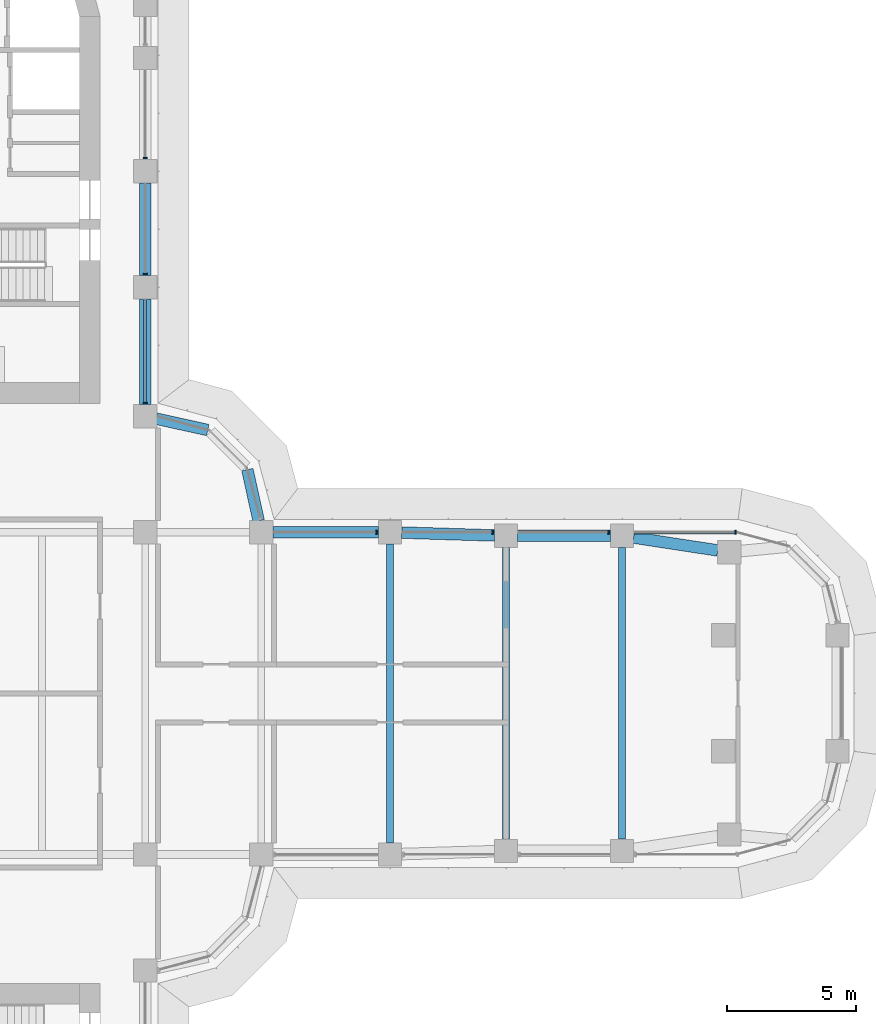
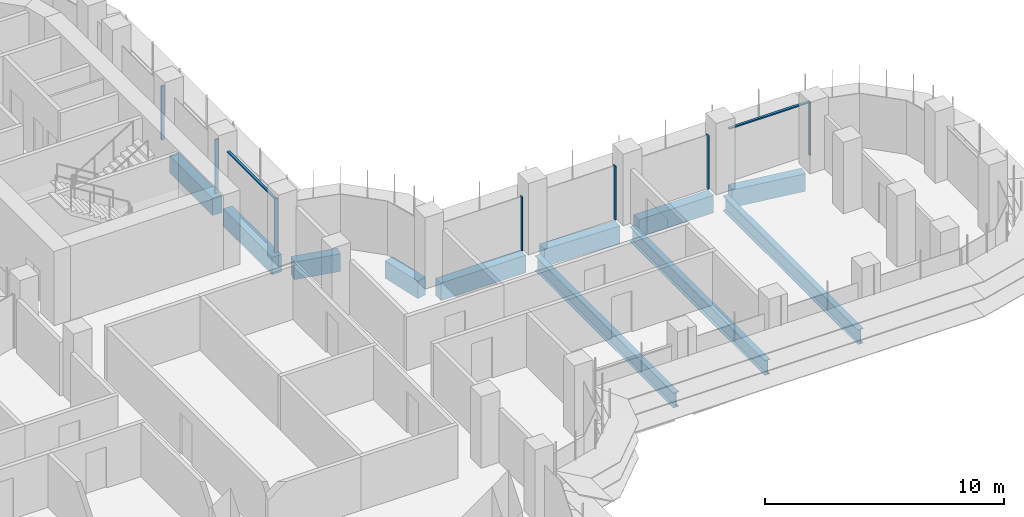
# One storey, part 8 of 22: 11 beams, 9 members, 2 elements without a shape of their own.
"""IFC4 building model written with IfcOpenShell, lengths in metres."""

from ifc_helpers import new_model, si_unit, direction, frame, origin, origin_2d, place, context, subcontext, project, spatial, polyline, rectangle, i_section, outline, extrude, source, transform, mapped, material, material_profile, profile_set, type_object, element, aggregate, save


model = new_model("IFC4")

# Units and contexts
model_context = context("Model", 3, precision=1e-05, world=origin(), true_north=direction((0.0, 1.0)))
body_context = subcontext(model_context, "Body", "Model", "MODEL_VIEW")
ifc_project = project(units=[si_unit("LENGTHUNIT", "METRE"), si_unit("AREAUNIT", "SQUARE_METRE"), si_unit("VOLUMEUNIT", "CUBIC_METRE"), si_unit("PLANEANGLEUNIT", "RADIAN"), si_unit("MASSUNIT", "GRAM", prefix="KILO")], contexts=[model_context])

# Site, building, storey
site_placement = place(None, origin())
site = spatial("IfcSite", under=ifc_project, at=site_placement, CompositionType="ELEMENT")
building_placement = place(site_placement, origin())
building = spatial("IfcBuilding", under=site, at=building_placement, Name="Zarbagh Exchange Tower", CompositionType="ELEMENT")
storey_placement = place(building_placement, frame((0.0, 0.0, 98.0)))
storey = spatial("IfcBuildingStorey", under=building, at=storey_placement, Name="L22", CompositionType="ELEMENT", Elevation=98.0)

# Beams
ifc_material_1 = material(Name="Steel ASTM A992 Gr 50", Category="steel")
ifc_material_profile_1 = material_profile(ifc_material_1, i_section(OverallWidth=0.2666015625, OverallDepth=0.7568359375, WebThickness=0.013916015625, FlangeThickness=0.019287109375, at=origin_2d()), Name="W30X108")
ifc_profile_set_1 = profile_set([ifc_material_profile_1], Name="Steel ASTM A992 Gr 50")
beam_type_1 = type_object("IfcBeamType", Name="Floor beam W30X108", PredefinedType="BEAM", material=ifc_profile_set_1)
beam_1_placement = place(storey_placement, frame((15.75, -5.800048828125, -0.5283203125), z_axis=(0.0, 1.0, 0.0), x_axis=(-1.0, 0.0, 0.0)))
element("IfcBeam", 1, at=beam_1_placement, inside=storey, type_object=beam_type_1, Name="Steel floor beam", PredefinedType="BEAM", context=body_context, shape_type="SweptSolid", body=[
    extrude(i_section(OverallWidth=0.2666015625, OverallDepth=0.7568359375, WebThickness=0.013916015625, FlangeThickness=0.019287109375, at=origin_2d()), origin(), (0.0, 0.0, 1.0), 11.60009765625),
])
for number, where, z_axis, x_axis, name in (
    (2, (20.25, -5.659912109375, -0.5283203125), (0.0, 1.0, 0.0), (-1.0, 0.0, 0.0), "Steel floor beam"),
    (3, (24.75, -5.659912109375, -0.5283203125), (0.0, 1.0, 0.0), (-1.0, 0.0, 0.0), "Steel floor beam"),
):
    element("IfcBeam", number, at=place(storey_placement, frame(where, z_axis=z_axis, x_axis=x_axis)), inside=storey, type_object=beam_type_1, Name=name, PredefinedType="BEAM", context=body_context, shape_type="SweptSolid", body=[
        extrude(i_section(OverallWidth=0.2666015625, OverallDepth=0.7568359375, WebThickness=0.013916015625, FlangeThickness=0.019287109375, at=origin_2d()), origin(), (0.0, 0.0, 1.0), 11.31982421875),
    ])
ifc_material_2 = material(Name="Concrete C60/75", Category="concrete")
ifc_material_profile_2 = material_profile(ifc_material_2, rectangle(XDim=0.449951171875, YDim=0.89990234375, at=origin_2d()), Name="RC spandrel beam 450 x 900 C60/75")
ifc_profile_set_2 = profile_set([ifc_material_profile_2], Name="Concrete C60/75")
beam_type_2 = type_object("IfcBeamType", Name="RC spandrel beam 450 x 900 C60/75", PredefinedType="SPANDREL", material=ifc_profile_set_2)
beam_2_placement = place(storey_placement, frame((6.25, 19.800048828125, -0.60009765625), z_axis=(0.0, -1.0, 0.0), x_axis=(1.0, 0.0, 0.0)))
element("IfcBeam", 4, at=beam_2_placement, inside=storey, type_object=beam_type_2, Name="RC spandrel beam", PredefinedType="SPANDREL", context=body_context, shape_type="SweptSolid", body=[
    extrude(rectangle(XDim=0.449951171875, YDim=0.89990234375, at=origin_2d()), origin(), (0.0, 0.0, 1.0), 3.60009765625),
])
beam_3_placement = place(storey_placement, frame((6.25, 15.300048828125, -0.60009765625), z_axis=(0.0, -1.0, 0.0), x_axis=(1.0, 0.0, 0.0)))
element("IfcBeam", 5, at=beam_3_placement, inside=storey, type_object=beam_type_2, Name="RC spandrel beam", PredefinedType="SPANDREL", context=body_context, shape_type="SweptSolid", body=[
    extrude(rectangle(XDim=0.449951171875, YDim=0.89990234375, at=origin_2d()), origin(), (0.0, 0.0, 1.0), 4.10009765625),
])
for number, where, z_axis, x_axis, name in (
    (6, (6.689453125, 10.65283203125, -0.60009765625), (0.976367325525, -0.216117666208, 0.0), (0.216117666208, 0.976367325525, 0.0), "RC spandrel beam"),
    (7, (10.212890625, 8.677001953125, -0.60009765625), (0.216117666208, -0.976367325525, 0.0), (0.976367325525, 0.216117666208, 0.0), "RC spandrel beam"),
):
    element("IfcBeam", number, at=place(storey_placement, frame(where, z_axis=z_axis, x_axis=x_axis)), inside=storey, type_object=beam_type_2, Name=name, PredefinedType="SPANDREL", context=body_context, shape_type="SweptSolid", body=[
        extrude(rectangle(XDim=0.449951171875, YDim=0.89990234375, at=origin_2d()), origin(), (0.0, 0.0, 1.0), 2.03564453125),
    ])
beam_4_placement = place(storey_placement, frame((11.199951171875, 6.25, -0.60009765625), z_axis=(1.0, 0.0, 0.0), x_axis=(0.0, 1.0, 0.0)))
element("IfcBeam", 8, at=beam_4_placement, inside=storey, type_object=beam_type_2, Name="RC spandrel beam", PredefinedType="SPANDREL", context=body_context, shape_type="SweptSolid", body=[
    extrude(rectangle(XDim=0.449951171875, YDim=0.89990234375, at=origin_2d()), origin(), (0.0, 0.0, 1.0), 4.10009765625),
])
beam_5_placement = place(storey_placement, frame((16.19970703125, 6.236083984375, -0.60009765625), z_axis=(0.999516035224, -0.031107801747, 0.0), x_axis=(0.031107801747, 0.999516035224, 0.0)))
element("IfcBeam", 9, at=beam_5_placement, inside=storey, type_object=beam_type_2, Name="RC spandrel beam", PredefinedType="SPANDREL", context=body_context, shape_type="SweptSolid", body=[
    extrude(rectangle(XDim=0.449951171875, YDim=0.89990234375, at=origin_2d()), origin(), (0.0, 0.0, 1.0), 3.602294921875),
])
beam_6_placement = place(storey_placement, frame((20.699951171875, 6.110107421875, -0.60009765625), z_axis=(1.0, 0.0, 0.0), x_axis=(0.0, 1.0, 0.0)))
element("IfcBeam", 10, at=beam_6_placement, inside=storey, type_object=beam_type_2, Name="RC spandrel beam", PredefinedType="SPANDREL", context=body_context, shape_type="SweptSolid", body=[
    extrude(rectangle(XDim=0.449951171875, YDim=0.89990234375, at=origin_2d()), origin(), (0.0, 0.0, 1.0), 3.60009765625),
])
beam_7_placement = place(storey_placement, frame((25.19482421875, 6.0419921875, -0.60009765625), z_axis=(0.988543505948, -0.150936201252, 0.0), x_axis=(0.150936201252, 0.988543505948, 0.0)))
element("IfcBeam", 11, at=beam_7_placement, inside=storey, type_object=beam_type_2, Name="RC spandrel beam", PredefinedType="SPANDREL", context=body_context, shape_type="SweptSolid", body=[
    extrude(rectangle(XDim=0.449951171875, YDim=0.89990234375, at=origin_2d()), origin(), (0.0, 0.0, 1.0), 3.30615234375),
])

# Curtain wall, members
ifc_material_3 = material(Name="Anodised aluminium frame and glazing", Category="aluminium")
curtain_wall_type = type_object("IfcCurtainWallType", Name="CWA Ribbon glazing, lower zones", PredefinedType="NOTDEFINED", material=ifc_material_3)
curtain_wall_1_placement = place(storey_placement, origin())
curtain_wall_1 = element("IfcCurtainWall", 12, at=curtain_wall_1_placement, inside=storey, type_object=curtain_wall_type, Name="CWA16 curtain wall", PredefinedType="NOTDEFINED")
ifc_material_4 = material(Name="Anodised aluminium frame", Category="aluminium")
member_type_1 = type_object("IfcMemberType", Name="MUA Mullion, anodised aluminium frame", PredefinedType="MULLION", material=ifc_material_4)
shared_shape_1 = source(origin(), body_context, "Body", "SweptSolid", [
    extrude(outline(polyline([(0.0, -0.080078125), (0.06005859375, -0.080078125), (0.06005859375, 0.080078125), (0.0, 0.080078125), (0.0, -0.080078125)])), origin(), (0.0, 0.0, 1.0), 2.75),
])
placement = place(storey_placement, origin())
member_1 = element("IfcMember", 13, at=placement, type_object=member_type_1, Name="CWA16 mullion 1.1", PredefinedType="MULLION", context=body_context, shape_type="MappedRepresentation", body=[
    mapped(shared_shape_1, transform((29.18408203125, 6.25, 0.0), x_axis=(-1.0, 0.0, 0.0), y_axis=(0.0, -1.0, 0.0), z_axis=(0.0, 0.0, 1.0))),
])
member_2 = element("IfcMember", 14, at=placement, type_object=member_type_1, Name="CWA16 mullion 2.1", PredefinedType="MULLION", context=body_context, shape_type="MappedRepresentation", body=[
    mapped(shared_shape_1, transform((24.260009765625, 6.25, 0.0), x_axis=(-1.0, 0.0, 0.0), y_axis=(0.0, -1.0, 0.0), z_axis=(0.0, 0.0, 1.0))),
])
member_3 = element("IfcMember", 15, at=placement, type_object=member_type_1, Name="CWA16 mullion 3.1", PredefinedType="MULLION", context=body_context, shape_type="MappedRepresentation", body=[
    mapped(shared_shape_1, transform((19.760009765625, 6.25, 0.0), x_axis=(-1.0, 0.0, 0.0), y_axis=(0.0, -1.0, 0.0), z_axis=(0.0, 0.0, 1.0))),
])
member_4 = element("IfcMember", 16, at=placement, type_object=member_type_1, Name="CWA16 mullion 4.1", PredefinedType="MULLION", context=body_context, shape_type="MappedRepresentation", body=[
    mapped(shared_shape_1, transform((15.260009765625, 6.25, 0.0), x_axis=(-1.0, 0.0, 0.0), y_axis=(0.0, -1.0, 0.0), z_axis=(0.0, 0.0, 1.0))),
])

curtain_wall_2_placement = place(storey_placement, origin())
curtain_wall_2 = element("IfcCurtainWall", 17, at=curtain_wall_2_placement, inside=storey, type_object=curtain_wall_type, Name="CWA49 curtain wall", PredefinedType="NOTDEFINED")
member_5 = element("IfcMember", 18, at=placement, type_object=member_type_1, Name="CWA49 mullion 1.1", PredefinedType="MULLION", context=body_context, shape_type="MappedRepresentation", body=[
    mapped(shared_shape_1, transform((6.25, 11.239990234375, 0.0), x_axis=(0.0, 1.0, 0.0), y_axis=(-1.0, 0.0, 0.0), z_axis=(0.0, 0.0, 1.0))),
])
member_6 = element("IfcMember", 19, at=placement, type_object=member_type_1, Name="CWA49 mullion 2.1", PredefinedType="MULLION", context=body_context, shape_type="MappedRepresentation", body=[
    mapped(shared_shape_1, transform((6.25, 16.239990234375, 0.0), x_axis=(0.0, 1.0, 0.0), y_axis=(-1.0, 0.0, 0.0), z_axis=(0.0, 0.0, 1.0))),
])
member_7 = element("IfcMember", 20, at=placement, type_object=member_type_1, Name="CWA49 mullion 3.1", PredefinedType="MULLION", context=body_context, shape_type="MappedRepresentation", body=[
    mapped(shared_shape_1, transform((6.25, 20.739990234375, 0.0), x_axis=(0.0, 1.0, 0.0), y_axis=(-1.0, 0.0, 0.0), z_axis=(0.0, 0.0, 1.0))),
])
member_type_2 = type_object("IfcMemberType", Name="TRA Transom, anodised aluminium frame", PredefinedType="USERDEFINED", material=ifc_material_4)
shared_shape_2 = source(origin(), body_context, "Body", "SweptSolid", [
    extrude(outline(polyline([(-0.06005859375, -0.06005859375), (0.0, -0.06005859375), (0.0, 0.06005859375), (-0.06005859375, 0.06005859375), (-0.06005859375, -0.06005859375)])), origin(), (0.0, 0.0, 1.0), 3.9599609375),
])
member_8 = element("IfcMember", 21, at=placement, type_object=member_type_2, Name="CWA49 transom 1.1", ObjectType="TRANSOM", PredefinedType="USERDEFINED", context=body_context, shape_type="MappedRepresentation", body=[
    mapped(shared_shape_2, transform((6.25, 11.300048828125, 2.75), x_axis=(0.0, 0.0, 1.0), y_axis=(1.0, 0.0, 0.0), z_axis=(0.0, 1.0, 0.0))),
])
aggregate(curtain_wall_2, [member_5, member_8, member_6, member_7])

# Member
shared_shape_3 = source(origin(), body_context, "Body", "SweptSolid", [
    extrude(outline(polyline([(-0.06005859375, -0.06005859375), (0.0, -0.06005859375), (0.0, 0.06005859375), (-0.06005859375, 0.06005859375), (-0.06005859375, -0.06005859375)])), origin(), (0.0, 0.0, 1.0), 3.88427734375),
])
member_9 = element("IfcMember", 22, at=placement, type_object=member_type_2, Name="CWA16 transom 1.1", ObjectType="TRANSOM", PredefinedType="USERDEFINED", context=body_context, shape_type="MappedRepresentation", body=[
    mapped(shared_shape_3, transform((29.124267578125, 6.25, 2.75), x_axis=(0.0, 0.0, 1.0), y_axis=(0.0, 1.0, 0.0), z_axis=(-1.0, 0.0, 0.0))),
])

aggregate(curtain_wall_1, [member_1, member_9, member_2, member_3, member_4])

save(model, "model.ifc")
